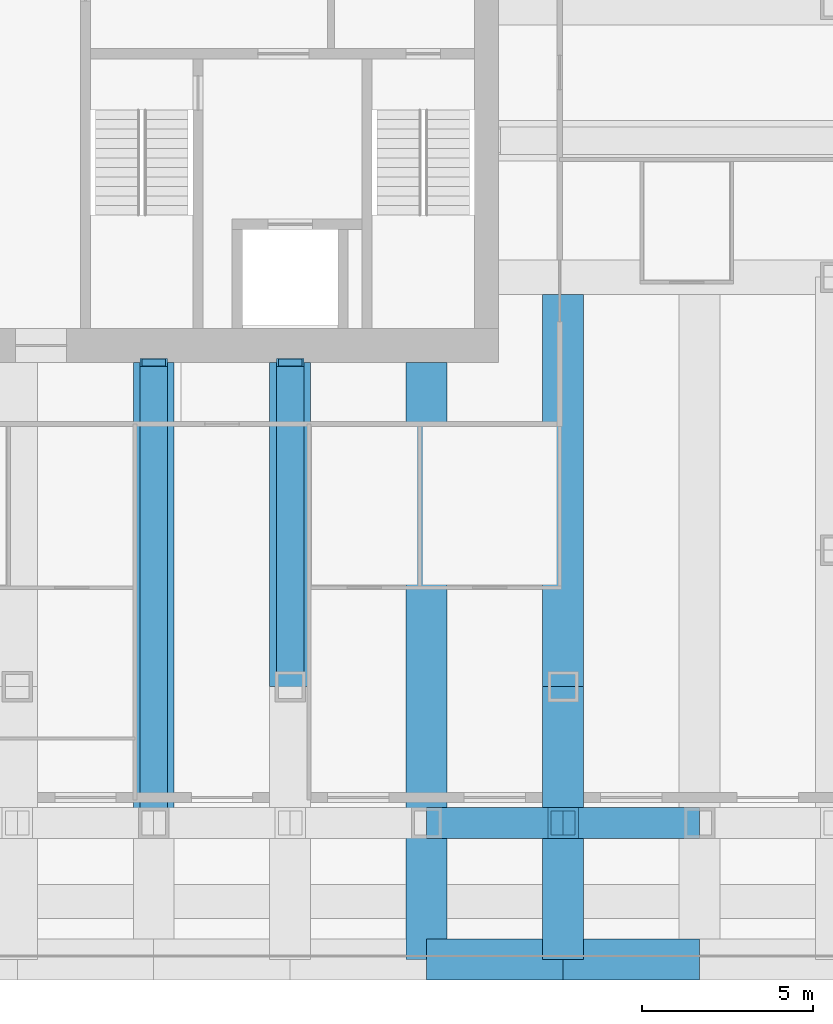
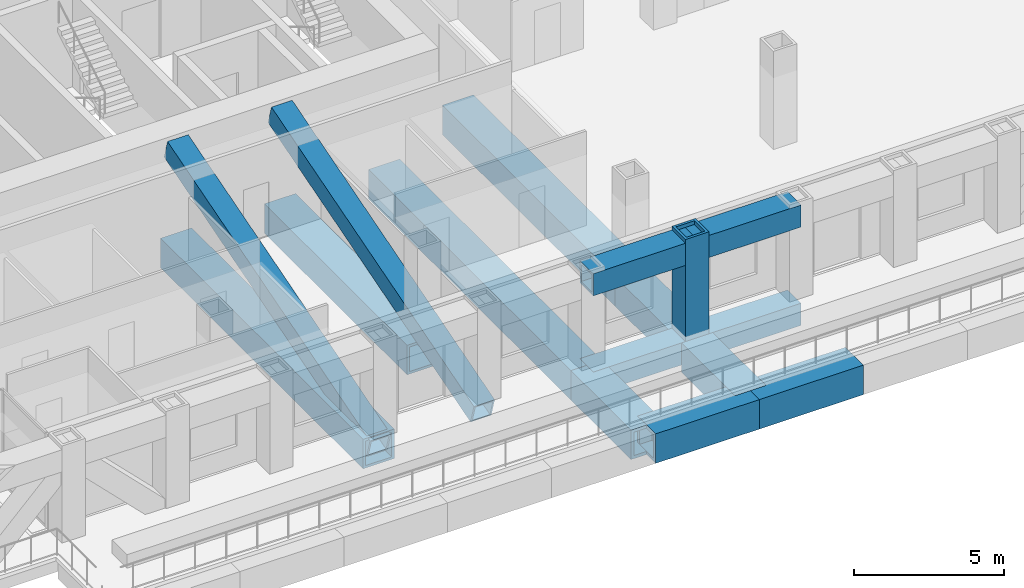
# One storey, part 3 of 18: 12 beams, 3 members.
"""IFC4 building model written with IfcOpenShell, lengths in metres."""

from ifc_helpers import new_model, si_unit, direction, frame, origin, origin_2d, place, context, subcontext, project, spatial, hollow_rectangle, extrude, material, material_profile, profile_set, type_object, element, save


model = new_model("IFC4")

# Units and contexts
model_context = context("Model", 3, precision=1e-05, world=origin(), true_north=direction((0.0, 1.0)))
body_context = subcontext(model_context, "Body", "Model", "MODEL_VIEW")
ifc_project = project(units=[si_unit("LENGTHUNIT", "METRE"), si_unit("AREAUNIT", "SQUARE_METRE"), si_unit("VOLUMEUNIT", "CUBIC_METRE"), si_unit("PLANEANGLEUNIT", "RADIAN"), si_unit("MASSUNIT", "GRAM", prefix="KILO")], contexts=[model_context])

# Site, building, storey
site_placement = place(None, origin())
site = spatial("IfcSite", under=ifc_project, at=site_placement, CompositionType="ELEMENT")
building_placement = place(site_placement, origin())
building = spatial("IfcBuilding", under=site, at=building_placement, Name="Rimbunsela Tower", CompositionType="ELEMENT")
storey_placement = place(building_placement, frame((0.0, 0.0, 105.39990234375)))
storey = spatial("IfcBuildingStorey", under=building, at=storey_placement, Name="L25", CompositionType="ELEMENT", Elevation=105.39990234375)

# Beams
ifc_material_1 = material(Name="Steel BJ 55 (fy 410 MPa)", Category="steel")
ifc_material_profile_1 = material_profile(ifc_material_1, hollow_rectangle(XDim=1.199951171875, YDim=1.199951171875, WallThickness=0.10009765625, at=origin_2d()), Name="BOX 1200x1200x100")
ifc_profile_set_1 = profile_set([ifc_material_profile_1], Name="Steel BJ 55 (fy 410 MPa)")
beam_type_1 = type_object("IfcBeamType", Name="Beam BOX 1200x1200x100", PredefinedType="BEAM", material=ifc_profile_set_1)
beam_1_placement = place(storey_placement, frame((26.0, 4.0, -0.75), z_axis=(0.0, 1.0, 0.0), x_axis=(-1.0, 0.0, 0.0)))
element("IfcBeam", 1, at=beam_1_placement, inside=storey, type_object=beam_type_1, Name="Beam B5 L25", PredefinedType="BEAM", context=body_context, shape_type="SweptSolid", body=[
    extrude(hollow_rectangle(XDim=1.199951171875, YDim=1.199951171875, WallThickness=0.10009765625, at=origin_2d()), origin(), (0.0, 0.0, 1.0), 13.5),
])
beam_2_placement = place(storey_placement, frame((30.0, 8.0, -0.75), z_axis=(0.0, 1.0, 0.0), x_axis=(-1.0, 0.0, 0.0)))
element("IfcBeam", 2, at=beam_2_placement, inside=storey, type_object=beam_type_1, Name="Beam B5 L25", PredefinedType="BEAM", context=body_context, shape_type="SweptSolid", body=[
    extrude(hollow_rectangle(XDim=1.199951171875, YDim=1.199951171875, WallThickness=0.10009765625, at=origin_2d()), origin(), (0.0, 0.0, 1.0), 9.5),
])
beam_3_placement = place(storey_placement, frame((34.0, 4.0, -0.75), z_axis=(0.0, 1.0, 0.0), x_axis=(-1.0, 0.0, 0.0)))
element("IfcBeam", 3, at=beam_3_placement, inside=storey, type_object=beam_type_1, Name="Beam B5 L25", PredefinedType="BEAM", context=body_context, shape_type="SweptSolid", body=[
    extrude(hollow_rectangle(XDim=1.199951171875, YDim=1.199951171875, WallThickness=0.10009765625, at=origin_2d()), origin(), (0.0, 0.0, 1.0), 13.5),
])
beam_4_placement = place(storey_placement, frame((38.0, 4.449951171875, -0.75), z_axis=(0.0, 1.0, 0.0), x_axis=(-1.0, 0.0, 0.0)))
element("IfcBeam", 4, at=beam_4_placement, inside=storey, type_object=beam_type_1, Name="Beam B5 L25", PredefinedType="BEAM", context=body_context, shape_type="SweptSolid", body=[
    extrude(hollow_rectangle(XDim=1.199951171875, YDim=1.199951171875, WallThickness=0.10009765625, at=origin_2d()), origin(), (0.0, 0.0, 1.0), 3.550048828125),
])
beam_5_placement = place(storey_placement, frame((38.0, 8.0, -0.75), z_axis=(0.0, 1.0, 0.0), x_axis=(-1.0, 0.0, 0.0)))
element("IfcBeam", 5, at=beam_5_placement, inside=storey, type_object=beam_type_1, Name="Beam B5 L25", PredefinedType="BEAM", context=body_context, shape_type="SweptSolid", body=[
    extrude(hollow_rectangle(XDim=1.199951171875, YDim=1.199951171875, WallThickness=0.10009765625, at=origin_2d()), origin(), (0.0, 0.0, 1.0), 11.5),
])
ifc_material_2 = material(Name="Steel BJ 55 (fy 410 MPa)", Category="steel")
ifc_material_profile_2 = material_profile(ifc_material_2, hollow_rectangle(XDim=1.199951171875, YDim=1.199951171875, WallThickness=0.125, at=origin_2d()), Name="BOX 1200x1200x125")
ifc_profile_set_2 = profile_set([ifc_material_profile_2], Name="Steel BJ 55 (fy 410 MPa)")
beam_type_2 = type_object("IfcBeamType", Name="Beam BOX 1200x1200x125", PredefinedType="BEAM", material=ifc_profile_set_2)
for number, where, z_axis, x_axis, name in (
    (6, (34.0, 0.0, -0.75), (0.0, 1.0, 0.0), (-1.0, 0.0, 0.0), "Beam B4 L25"),
    (7, (34.0, 0.0, -0.75), (1.0, 0.0, 0.0), (0.0, 1.0, 0.0), "Beam B4 L25"),
):
    element("IfcBeam", number, at=place(storey_placement, frame(where, z_axis=z_axis, x_axis=x_axis)), inside=storey, type_object=beam_type_2, Name=name, PredefinedType="BEAM", context=body_context, shape_type="SweptSolid", body=[
        extrude(hollow_rectangle(XDim=1.199951171875, YDim=1.199951171875, WallThickness=0.125, at=origin_2d()), origin(), (0.0, 0.0, 1.0), 4.0),
    ])
beam_6_placement = place(storey_placement, frame((38.0, 0.0, -0.75), z_axis=(0.0, 1.0, 0.0), x_axis=(-1.0, 0.0, 0.0)))
element("IfcBeam", 8, at=beam_6_placement, inside=storey, type_object=beam_type_2, Name="Beam B4 L25", PredefinedType="BEAM", context=body_context, shape_type="SweptSolid", body=[
    extrude(hollow_rectangle(XDim=1.199951171875, YDim=1.199951171875, WallThickness=0.125, at=origin_2d()), origin(), (0.0, 0.0, 1.0), 3.550048828125),
])
beam_7_placement = place(storey_placement, frame((38.0, 0.0, -0.75), z_axis=(1.0, 0.0, 0.0), x_axis=(0.0, 1.0, 0.0)))
element("IfcBeam", 9, at=beam_7_placement, inside=storey, type_object=beam_type_2, Name="Beam B4 L25", PredefinedType="BEAM", context=body_context, shape_type="SweptSolid", body=[
    extrude(hollow_rectangle(XDim=1.199951171875, YDim=1.199951171875, WallThickness=0.125, at=origin_2d()), origin(), (0.0, 0.0, 1.0), 4.0),
])

# Members
ifc_material_3 = material(Name="Steel BJ 55 (fy 410 MPa)", Category="steel")
ifc_material_profile_3 = material_profile(ifc_material_3, hollow_rectangle(XDim=0.800048828125, YDim=0.800048828125, WallThickness=0.06005859375, at=origin_2d()), Name="BOX 800x800x60")
ifc_profile_set_3 = profile_set([ifc_material_profile_3], Name="Steel BJ 55 (fy 410 MPa)")
member_type_1 = type_object("IfcMemberType", Name="Outrigger brace BOX 800x800x60", PredefinedType="BRACE", material=ifc_profile_set_3)
for number, where, z_axis, x_axis, name in (
    (10, (26.0, 4.0, -0.599853515625), (0.0, 0.958798112708, 0.284088329691), (-1.0, 0.0, 0.0), "Outrigger brace OB1 S L25"),
    (11, (30.0, 4.0, -0.599853515625), (0.0, 0.958798112708, 0.284088329691), (-1.0, 0.0, 0.0), "Outrigger brace OB1 S L25"),
):
    element("IfcMember", number, at=place(storey_placement, frame(where, z_axis=z_axis, x_axis=x_axis)), inside=storey, type_object=member_type_1, Name=name, PredefinedType="BRACE", context=body_context, shape_type="SweptSolid", body=[
        extrude(hollow_rectangle(XDim=0.800048828125, YDim=0.800048828125, WallThickness=0.06005859375, at=origin_2d()), origin(), (0.0, 0.0, 1.0), 14.080078125),
    ])

# Beams
ifc_material_4 = material(Name="Steel BJ 55 (fy 410 MPa)", Category="steel")
ifc_material_profile_4 = material_profile(ifc_material_4, hollow_rectangle(XDim=0.89990234375, YDim=0.89990234375, WallThickness=0.10009765625, at=origin_2d()), Name="BOX 900x900x100")
ifc_profile_set_4 = profile_set([ifc_material_profile_4], Name="Steel BJ 55 (fy 410 MPa)")
beam_type_3 = type_object("IfcBeamType", Name="Truss chord BOX 900x900x100", PredefinedType="USERDEFINED", material=ifc_profile_set_4)
for number, where, z_axis, x_axis, name in (
    (12, (34.0, 4.0, 3.400146484375), (1.0, 0.0, 0.0), (0.0, 1.0, 0.0), "Truss top chord TC2 S face L25"),
    (13, (38.0, 4.0, 3.400146484375), (1.0, 0.0, 0.0), (0.0, 1.0, 0.0), "Truss top chord TC2 S face L25"),
):
    element("IfcBeam", number, at=place(storey_placement, frame(where, z_axis=z_axis, x_axis=x_axis)), inside=storey, type_object=beam_type_3, Name=name, ObjectType="TRUSS CHORD", PredefinedType="USERDEFINED", context=body_context, shape_type="SweptSolid", body=[
        extrude(hollow_rectangle(XDim=0.89990234375, YDim=0.89990234375, WallThickness=0.10009765625, at=origin_2d()), origin(), (0.0, 0.0, 1.0), 4.0),
    ])
beam_8_placement = place(storey_placement, frame((34.0, 4.0, -0.599853515625), z_axis=(1.0, 0.0, 0.0), x_axis=(0.0, 1.0, 0.0)))
element("IfcBeam", 14, at=beam_8_placement, inside=storey, type_object=beam_type_3, Name="Truss bottom chord TC2 S face L25", ObjectType="TRUSS CHORD", PredefinedType="USERDEFINED", context=body_context, shape_type="SweptSolid", body=[
    extrude(hollow_rectangle(XDim=0.89990234375, YDim=0.89990234375, WallThickness=0.10009765625, at=origin_2d()), origin(), (0.0, 0.0, 1.0), 8.0),
])

# Member
ifc_material_5 = material(Name="Steel BJ 55 (fy 410 MPa)", Category="steel")
ifc_material_profile_5 = material_profile(ifc_material_5, hollow_rectangle(XDim=0.89990234375, YDim=0.89990234375, WallThickness=0.10009765625, at=origin_2d()), Name="BOX 900x900x100")
ifc_profile_set_5 = profile_set([ifc_material_profile_5], Name="Steel BJ 55 (fy 410 MPa)")
member_type_2 = type_object("IfcMemberType", Name="Truss post BOX 900x900x100", PredefinedType="POST", material=ifc_profile_set_5)
member_placement = place(storey_placement, frame((38.0, 4.0, -0.599853515625), z_axis=(0.0, 0.0, 1.0), x_axis=(1.0, 0.0, 0.0)))
element("IfcMember", 15, at=member_placement, inside=storey, type_object=member_type_2, Name="Truss post TP2 12/C L25", PredefinedType="POST", context=body_context, shape_type="SweptSolid", body=[
    extrude(hollow_rectangle(XDim=0.89990234375, YDim=0.89990234375, WallThickness=0.10009765625, at=origin_2d()), origin(), (0.0, 0.0, 1.0), 4.599853515625),
])

save(model, "model.ifc")
